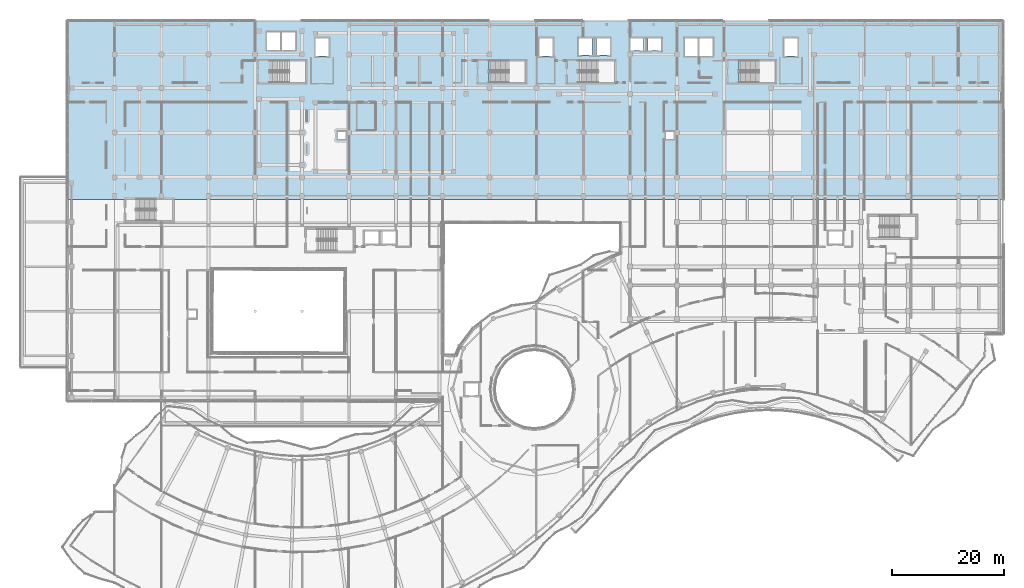
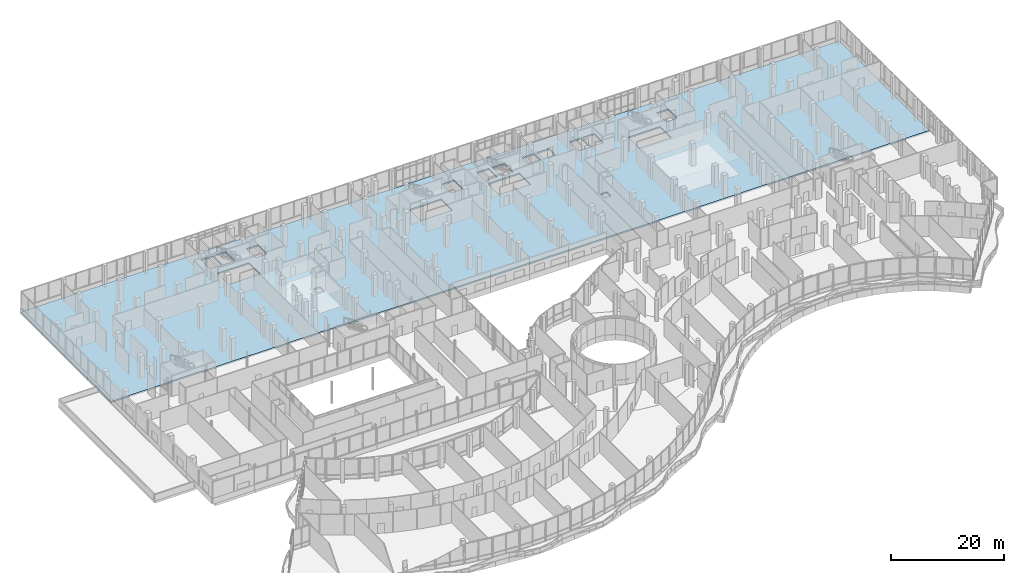
# One storey, part 133 of 168: 1 slab.
"""IFC4 building model written with IfcOpenShell, lengths in metres."""

from ifc_helpers import new_model, si_unit, direction, frame, origin, place, context, subcontext, project, spatial, polyline, outline, extrude, material, layer, layer_set, type_object, element, save


model = new_model("IFC4")

# Units and contexts
model_context = context("Model", 3, precision=1e-05, world=origin(), true_north=direction((0.0, 1.0)))
body_context = subcontext(model_context, "Body", "Model", "MODEL_VIEW")
ifc_project = project(units=[si_unit("LENGTHUNIT", "METRE"), si_unit("AREAUNIT", "SQUARE_METRE"), si_unit("VOLUMEUNIT", "CUBIC_METRE"), si_unit("PLANEANGLEUNIT", "RADIAN"), si_unit("MASSUNIT", "GRAM", prefix="KILO")], contexts=[model_context])

# Site, building, storey
site_placement = place(None, origin())
site = spatial("IfcSite", under=ifc_project, at=site_placement, CompositionType="ELEMENT")
building_placement = place(site_placement, origin())
building = spatial("IfcBuilding", under=site, at=building_placement, Name="Selatvlak General Hospital", CompositionType="ELEMENT")
storey_placement = place(building_placement, frame((0.0, 0.0, 5.39990234375)))
storey = spatial("IfcBuildingStorey", under=building, at=storey_placement, Name="L01", CompositionType="ELEMENT", Elevation=5.39990234375)

# Slab
ifc_material = material(Name="Concrete C40/50", Category="concrete")
ifc_layer = layer(ifc_material, 0.320068359375, Name="Concrete C40/50", Category="concrete")
ifc_layer_set = layer_set([ifc_layer], Name="Concrete C40/50")
slab_type = type_object("IfcSlabType", Name="SLAB-SL-FL1", PredefinedType="FLOOR", material=ifc_layer_set)
slab_placement = place(storey_placement, frame((0.0, 0.0, -0.31982421875)))
element("IfcSlab", 1, at=slab_placement, inside=storey, type_object=slab_type, Name="L01 V5N structural slab", PredefinedType="FLOOR", context=body_context, shape_type="SweptSolid", body=[
    extrude(outline(polyline([(33.199951171875, 88.008056640625), (33.199951171875, 88.139892578125), (26.705078125, 88.139892578125), (26.705078125, 88.008056640625), (14.39990234375, 88.008056640625), (14.39990234375, 120.0), (182.0, 120.0), (182.0, 88.0), (33.199951171875, 88.008056640625)]), holes=[polyline([(57.050048828125, 112.93994140625), (50.554931640625, 112.93994140625), (50.554931640625, 109.0), (57.050048828125, 109.0), (57.050048828125, 112.93994140625)]), polyline([(96.39990234375, 109.0), (96.39990234375, 112.93994140625), (89.905029296875, 112.93994140625), (89.905029296875, 109.0), (96.39990234375, 109.0)]), polyline([(105.905029296875, 109.0), (112.39990234375, 109.0), (112.39990234375, 112.93994140625), (105.905029296875, 112.93994140625), (105.905029296875, 109.0)]), polyline([(134.705078125, 112.93994140625), (134.705078125, 109.0), (141.199951171875, 109.0), (141.199951171875, 112.93994140625), (134.705078125, 112.93994140625)]), polyline([(61.199951171875, 116.89990234375), (58.800048828125, 116.89990234375), (58.800048828125, 113.699951171875), (61.199951171875, 113.699951171875), (61.199951171875, 116.89990234375)]), polyline([(101.300048828125, 113.699951171875), (101.300048828125, 116.89990234375), (98.89990234375, 116.89990234375), (98.89990234375, 113.699951171875), (101.300048828125, 113.699951171875)]), polyline([(142.800048828125, 113.699951171875), (145.199951171875, 113.699951171875), (145.199951171875, 116.89990234375), (142.800048828125, 116.89990234375), (142.800048828125, 113.699951171875)]), polyline([(50.10009765625, 118.0), (50.10009765625, 114.800048828125), (52.5, 114.800048828125), (52.5, 118.0), (50.10009765625, 118.0)]), polyline([(55.14990234375, 118.0), (52.75, 118.0), (52.75, 114.800048828125), (55.14990234375, 114.800048828125), (55.14990234375, 118.0)]), polyline([(127.35009765625, 113.699951171875), (127.35009765625, 116.89990234375), (124.949951171875, 116.89990234375), (124.949951171875, 113.699951171875), (127.35009765625, 113.699951171875)]), polyline([(127.60009765625, 113.699951171875), (130.0, 113.699951171875), (130.0, 116.89990234375), (127.60009765625, 116.89990234375), (127.60009765625, 113.699951171875)]), polyline([(115.199951171875, 116.89990234375), (115.199951171875, 114.699951171875), (117.60009765625, 114.699951171875), (117.60009765625, 116.89990234375), (115.199951171875, 116.89990234375)]), polyline([(120.800048828125, 116.89990234375), (118.39990234375, 116.89990234375), (118.39990234375, 114.699951171875), (120.800048828125, 114.699951171875), (120.800048828125, 116.89990234375)]), polyline([(108.39990234375, 113.89990234375), (108.39990234375, 116.89990234375), (106.0, 116.89990234375), (106.0, 113.89990234375), (108.39990234375, 113.89990234375)]), polyline([(109.199951171875, 113.89990234375), (111.60009765625, 113.89990234375), (111.60009765625, 116.89990234375), (109.199951171875, 116.89990234375), (109.199951171875, 113.89990234375)]), polyline([(62.800048828125, 100.199951171875), (62.800048828125, 98.800048828125), (64.199951171875, 98.800048828125), (64.199951171875, 100.199951171875), (62.800048828125, 100.199951171875)]), polyline([(123.0, 100.199951171875), (121.60009765625, 100.199951171875), (121.60009765625, 98.800048828125), (123.0, 98.800048828125), (123.0, 100.199951171875)])]), origin(), (0.0, 0.0, 1.0), 0.31982421875),
])

save(model, "model.ifc")
